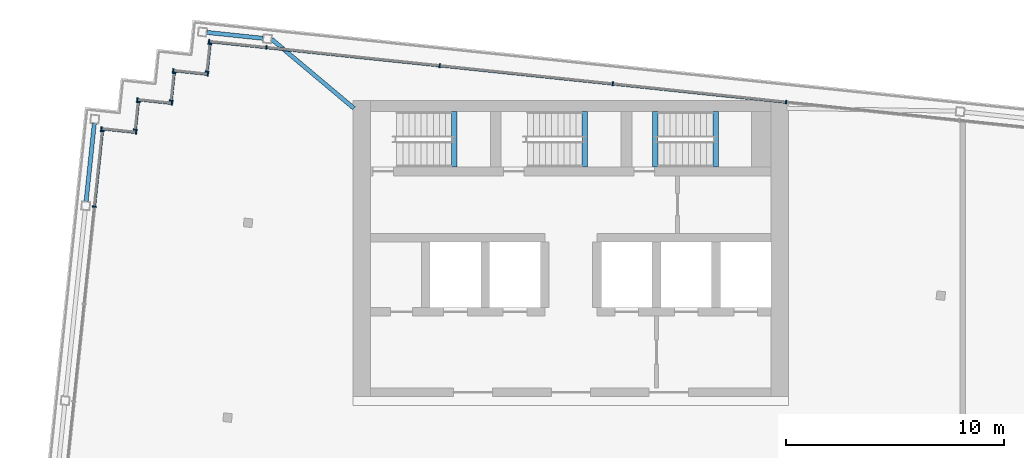
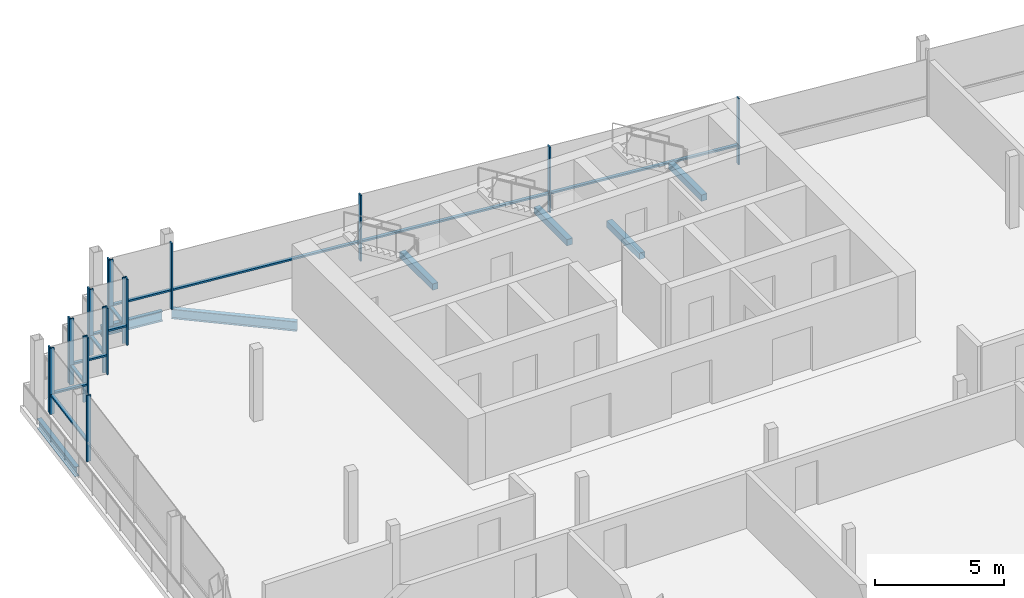
# One storey, part 7 of 15: 30 members, 7 beams, 8 elements without a shape of their own.
"""IFC4 building model written with IfcOpenShell, lengths in metres."""

from ifc_helpers import new_model, si_unit, direction, frame, origin, origin_2d, place, context, subcontext, project, spatial, rectangle, i_section, extrude, material, material_profile, profile_set, type_object, element, aggregate, save


model = new_model("IFC4")

# Units and contexts
model_context = context("Model", 3, precision=1e-05, world=origin(), true_north=direction((0.0, 1.0)))
body_context = subcontext(model_context, "Body", "Model", "MODEL_VIEW")
ifc_project = project(units=[si_unit("LENGTHUNIT", "METRE"), si_unit("AREAUNIT", "SQUARE_METRE"), si_unit("VOLUMEUNIT", "CUBIC_METRE"), si_unit("PLANEANGLEUNIT", "RADIAN"), si_unit("MASSUNIT", "GRAM", prefix="KILO")], contexts=[model_context])

# Site, building, storey
site_placement = place(None, origin())
site = spatial("IfcSite", under=ifc_project, at=site_placement, CompositionType="ELEMENT")
building_placement = place(site_placement, origin())
building = spatial("IfcBuilding", under=site, at=building_placement, Name="Vidyagriha Tower", CompositionType="ELEMENT")
storey_placement = place(building_placement, frame((0.0, 0.0, 294.89990234375)))
storey = spatial("IfcBuildingStorey", under=building, at=storey_placement, Name="L76", CompositionType="ELEMENT", Elevation=294.89990234375)

# Beams
ifc_material_1 = material(Name="Steel ASTM A992 Grade 50", Category="steel")
ifc_material_profile_1 = material_profile(ifc_material_1, i_section(OverallWidth=0.19189453125, OverallDepth=0.46240234375, WebThickness=0.010498046875, FlangeThickness=0.017578125, at=origin_2d()), Name="W18X60")
ifc_profile_set_1 = profile_set([ifc_material_profile_1], Name="Steel ASTM A992 Grade 50")
beam_type_1 = type_object("IfcBeamType", Name="Edge beam W18X60", PredefinedType="SPANDREL", material=ifc_profile_set_1)
beam_1_placement = place(storey_placement, frame((-22.269287109375, 15.372802734375, -0.510986328125), z_axis=(0.104578872801, 0.994516595821, 0.0), x_axis=(-0.994516595821, 0.104578872801, 0.0)))
element("IfcBeam", 1, at=beam_1_placement, inside=storey, type_object=beam_type_1, Name="st-beam-L76-W12", PredefinedType="SPANDREL", context=body_context, shape_type="SweptSolid", body=[
    extrude(i_section(OverallWidth=0.19189453125, OverallDepth=0.46240234375, WebThickness=0.010498046875, FlangeThickness=0.017578125, at=origin_2d()), origin(), (0.0, 0.0, 1.0), 3.599853515625),
])
beam_2_placement = place(storey_placement, frame((-16.727294921875, 23.135986328125, -0.510986328125), z_axis=(0.994523446942, -0.104513699976, 0.0), x_axis=(0.104513699976, 0.994523446942, 0.0)))
element("IfcBeam", 2, at=beam_2_placement, inside=storey, type_object=beam_type_1, Name="st-beam-L76-NW18", PredefinedType="SPANDREL", context=body_context, shape_type="SweptSolid", body=[
    extrude(i_section(OverallWidth=0.19189453125, OverallDepth=0.46240234375, WebThickness=0.010498046875, FlangeThickness=0.017578125, at=origin_2d()), origin(), (0.0, 0.0, 1.0), 2.599853515625),
])
beam_3_placement = place(storey_placement, frame((-13.743896484375, 22.822509765625, -0.510986328125), z_axis=(0.76590463898, -0.642954184984, 0.0), x_axis=(0.642954184984, 0.76590463898, 0.0)))
element("IfcBeam", 3, at=beam_3_placement, inside=storey, type_object=beam_type_1, Name="st-beam-L76-NC21", PredefinedType="SPANDREL", context=body_context, shape_type="SweptSolid", body=[
    extrude(i_section(OverallWidth=0.19189453125, OverallDepth=0.46240234375, WebThickness=0.010498046875, FlangeThickness=0.017578125, at=origin_2d()), origin(), (0.0, 0.0, 1.0), 4.934326171875),
])

# Curtain wall, members
ifc_material_2 = material(Name="Aluminium and glass curtain wall", Category="aluminium")
curtain_wall_type = type_object("IfcCurtainWallType", Name="Lantern glazing wall", PredefinedType="USERDEFINED", material=ifc_material_2)
curtain_wall_1_placement = place(storey_placement, origin())
curtain_wall_1 = element("IfcCurtainWall", 4, at=curtain_wall_1_placement, inside=storey, type_object=curtain_wall_type, Name="CW4 lantern glazing", ObjectType="STICK GLAZING", PredefinedType="USERDEFINED")
ifc_material_3 = material(Name="Aluminium black anodised", Category="aluminium")
ifc_material_profile_2 = material_profile(ifc_material_3, rectangle(XDim=0.179931640625, YDim=0.06005859375, at=origin_2d()), Name="Mullion 60x180 black aluminium")
ifc_profile_set_2 = profile_set([ifc_material_profile_2], Name="Aluminium black anodised")
member_type_1 = type_object("IfcMemberType", Name="Mullion 60x180 black aluminium", PredefinedType="MULLION", material=ifc_profile_set_2)
member_1_placement = place(storey_placement, frame((9.884033203125, 19.936767578125, 0.0), z_axis=(0.0, 0.0, 1.0), x_axis=(-0.104528022383, -0.994521941707, 0.0)))
member_1 = element("IfcMember", 5, at=member_1_placement, type_object=member_type_1, Name="CW4 mullion 4", PredefinedType="MULLION", context=body_context, shape_type="SweptSolid", body=[
    extrude(rectangle(XDim=0.179931640625, YDim=0.06005859375, at=origin_2d()), origin(), (0.0, 0.0, 1.0), 3.1201171875),
])
member_2_placement = place(storey_placement, frame((1.927978515625, 20.77294921875, 0.0), z_axis=(0.0, 0.0, 1.0), x_axis=(-0.104528022383, -0.994521941707, 0.0)))
member_2 = element("IfcMember", 6, at=member_2_placement, type_object=member_type_1, Name="CW4 mullion 5", PredefinedType="MULLION", context=body_context, shape_type="SweptSolid", body=[
    extrude(rectangle(XDim=0.179931640625, YDim=0.06005859375, at=origin_2d()), origin(), (0.0, 0.0, 1.0), 3.1201171875),
])
member_3_placement = place(storey_placement, frame((-6.0283203125, 21.609130859375, 0.0), z_axis=(0.0, 0.0, 1.0), x_axis=(-0.104528022383, -0.994521941707, 0.0)))
member_3 = element("IfcMember", 7, at=member_3_placement, type_object=member_type_1, Name="CW4 mullion 6", PredefinedType="MULLION", context=body_context, shape_type="SweptSolid", body=[
    extrude(rectangle(XDim=0.179931640625, YDim=0.06005859375, at=origin_2d()), origin(), (0.0, 0.0, 1.0), 3.1201171875),
])
member_4_placement = place(storey_placement, frame((-13.984619140625, 22.445556640625, 0.0), z_axis=(0.0, 0.0, 1.0), x_axis=(-0.104528022383, -0.994521941707, 0.0)))
member_4 = element("IfcMember", 8, at=member_4_placement, type_object=member_type_1, Name="CW4 mullion 7", PredefinedType="MULLION", context=body_context, shape_type="SweptSolid", body=[
    extrude(rectangle(XDim=0.179931640625, YDim=0.06005859375, at=origin_2d()), origin(), (0.0, 0.0, 1.0), 3.1201171875),
])
member_5_placement = place(storey_placement, frame((-16.6201171875, 22.722412109375, 0.0), z_axis=(0.0, 0.0, 1.0), x_axis=(-0.104528022383, -0.994521941707, 0.0)))
member_5 = element("IfcMember", 9, at=member_5_placement, type_object=member_type_1, Name="CW4 mullion 8", PredefinedType="MULLION", context=body_context, shape_type="SweptSolid", body=[
    extrude(rectangle(XDim=0.179931640625, YDim=0.06005859375, at=origin_2d()), origin(), (0.0, 0.0, 1.0), 3.1201171875),
])

curtain_wall_2_placement = place(storey_placement, origin())
curtain_wall_2 = element("IfcCurtainWall", 10, at=curtain_wall_2_placement, inside=storey, type_object=curtain_wall_type, Name="CW4 lantern glazing", ObjectType="STICK GLAZING", PredefinedType="USERDEFINED")
member_6_placement = place(storey_placement, frame((-16.581787109375, 22.60791015625, 0.0), z_axis=(0.0, 0.0, 1.0), x_axis=(0.994519755162, -0.104548823962, 0.0)))
member_6 = element("IfcMember", 11, at=member_6_placement, type_object=member_type_1, Name="CW4 mullion 1", PredefinedType="MULLION", context=body_context, shape_type="SweptSolid", body=[
    extrude(rectangle(XDim=0.179931640625, YDim=0.06005859375, at=origin_2d()), origin(), (0.0, 0.0, 1.0), 3.1201171875),
])
member_7_placement = place(storey_placement, frame((-16.715576171875, 21.334716796875, 0.0), z_axis=(0.0, 0.0, 1.0), x_axis=(0.994519755162, -0.104548823962, 0.0)))
member_7 = element("IfcMember", 12, at=member_7_placement, type_object=member_type_1, Name="CW4 mullion 2", PredefinedType="MULLION", context=body_context, shape_type="SweptSolid", body=[
    extrude(rectangle(XDim=0.179931640625, YDim=0.06005859375, at=origin_2d()), origin(), (0.0, 0.0, 1.0), 3.1201171875),
])

curtain_wall_3_placement = place(storey_placement, origin())
curtain_wall_3 = element("IfcCurtainWall", 13, at=curtain_wall_3_placement, inside=storey, type_object=curtain_wall_type, Name="CW4 lantern glazing", ObjectType="STICK GLAZING", PredefinedType="USERDEFINED")
member_8_placement = place(storey_placement, frame((-16.67724609375, 21.22021484375, 0.0), z_axis=(0.0, 0.0, 1.0), x_axis=(-0.104518583201, -0.994522933756, 0.0)))
member_8 = element("IfcMember", 14, at=member_8_placement, type_object=member_type_1, Name="CW4 mullion 1", PredefinedType="MULLION", context=body_context, shape_type="SweptSolid", body=[
    extrude(rectangle(XDim=0.179931640625, YDim=0.06005859375, at=origin_2d()), origin(), (0.0, 0.0, 1.0), 3.1201171875),
])
member_9_placement = place(storey_placement, frame((-18.2685546875, 21.387451171875, 0.0), z_axis=(0.0, 0.0, 1.0), x_axis=(-0.104518583201, -0.994522933756, 0.0)))
member_9 = element("IfcMember", 15, at=member_9_placement, type_object=member_type_1, Name="CW4 mullion 2", PredefinedType="MULLION", context=body_context, shape_type="SweptSolid", body=[
    extrude(rectangle(XDim=0.179931640625, YDim=0.06005859375, at=origin_2d()), origin(), (0.0, 0.0, 1.0), 3.1201171875),
])

curtain_wall_4_placement = place(storey_placement, origin())
curtain_wall_4 = element("IfcCurtainWall", 16, at=curtain_wall_4_placement, inside=storey, type_object=curtain_wall_type, Name="CW4 lantern glazing", ObjectType="STICK GLAZING", PredefinedType="USERDEFINED")
member_10_placement = place(storey_placement, frame((-18.230224609375, 21.27294921875, 0.0), z_axis=(0.0, 0.0, 1.0), x_axis=(0.994519755162, -0.104548823962, 0.0)))
member_10 = element("IfcMember", 17, at=member_10_placement, type_object=member_type_1, Name="CW4 mullion 1", PredefinedType="MULLION", context=body_context, shape_type="SweptSolid", body=[
    extrude(rectangle(XDim=0.179931640625, YDim=0.06005859375, at=origin_2d()), origin(), (0.0, 0.0, 1.0), 3.1201171875),
])
member_11_placement = place(storey_placement, frame((-18.3642578125, 19.999755859375, 0.0), z_axis=(0.0, 0.0, 1.0), x_axis=(0.994519755162, -0.104548823962, 0.0)))
member_11 = element("IfcMember", 18, at=member_11_placement, type_object=member_type_1, Name="CW4 mullion 2", PredefinedType="MULLION", context=body_context, shape_type="SweptSolid", body=[
    extrude(rectangle(XDim=0.179931640625, YDim=0.06005859375, at=origin_2d()), origin(), (0.0, 0.0, 1.0), 3.1201171875),
])

curtain_wall_5_placement = place(storey_placement, origin())
curtain_wall_5 = element("IfcCurtainWall", 19, at=curtain_wall_5_placement, inside=storey, type_object=curtain_wall_type, Name="CW4 lantern glazing", ObjectType="STICK GLAZING", PredefinedType="USERDEFINED")
member_12_placement = place(storey_placement, frame((-18.325927734375, 19.88525390625, 0.0), z_axis=(0.0, 0.0, 1.0), x_axis=(-0.104512321721, -0.994523591781, 0.0)))
member_12 = element("IfcMember", 20, at=member_12_placement, type_object=member_type_1, Name="CW4 mullion 1", PredefinedType="MULLION", context=body_context, shape_type="SweptSolid", body=[
    extrude(rectangle(XDim=0.179931640625, YDim=0.06005859375, at=origin_2d()), origin(), (0.0, 0.0, 1.0), 3.1201171875),
])
member_13_placement = place(storey_placement, frame((-19.917236328125, 20.052490234375, 0.0), z_axis=(0.0, 0.0, 1.0), x_axis=(-0.104512321721, -0.994523591781, 0.0)))
member_13 = element("IfcMember", 21, at=member_13_placement, type_object=member_type_1, Name="CW4 mullion 2", PredefinedType="MULLION", context=body_context, shape_type="SweptSolid", body=[
    extrude(rectangle(XDim=0.179931640625, YDim=0.06005859375, at=origin_2d()), origin(), (0.0, 0.0, 1.0), 3.1201171875),
])

curtain_wall_6_placement = place(storey_placement, origin())
curtain_wall_6 = element("IfcCurtainWall", 22, at=curtain_wall_6_placement, inside=storey, type_object=curtain_wall_type, Name="CW4 lantern glazing", ObjectType="STICK GLAZING", PredefinedType="USERDEFINED")
member_14_placement = place(storey_placement, frame((-19.87890625, 19.937744140625, 0.0), z_axis=(0.0, 0.0, 1.0), x_axis=(0.994518123441, -0.10456434453, 0.0)))
member_14 = element("IfcMember", 23, at=member_14_placement, type_object=member_type_1, Name="CW4 mullion 1", PredefinedType="MULLION", context=body_context, shape_type="SweptSolid", body=[
    extrude(rectangle(XDim=0.179931640625, YDim=0.06005859375, at=origin_2d()), origin(), (0.0, 0.0, 1.0), 3.1201171875),
])
member_15_placement = place(storey_placement, frame((-20.0126953125, 18.6650390625, 0.0), z_axis=(0.0, 0.0, 1.0), x_axis=(0.994518123441, -0.10456434453, 0.0)))
member_15 = element("IfcMember", 24, at=member_15_placement, type_object=member_type_1, Name="CW4 mullion 2", PredefinedType="MULLION", context=body_context, shape_type="SweptSolid", body=[
    extrude(rectangle(XDim=0.179931640625, YDim=0.06005859375, at=origin_2d()), origin(), (0.0, 0.0, 1.0), 3.1201171875),
])

curtain_wall_7_placement = place(storey_placement, origin())
curtain_wall_7 = element("IfcCurtainWall", 25, at=curtain_wall_7_placement, inside=storey, type_object=curtain_wall_type, Name="CW4 lantern glazing", ObjectType="STICK GLAZING", PredefinedType="USERDEFINED")
member_16_placement = place(storey_placement, frame((-19.974365234375, 18.550537109375, 0.0), z_axis=(0.0, 0.0, 1.0), x_axis=(-0.104452741485, -0.994529851134, 0.0)))
member_16 = element("IfcMember", 26, at=member_16_placement, type_object=member_type_1, Name="CW4 mullion 1", PredefinedType="MULLION", context=body_context, shape_type="SweptSolid", body=[
    extrude(rectangle(XDim=0.179931640625, YDim=0.06005859375, at=origin_2d()), origin(), (0.0, 0.0, 1.0), 3.1201171875),
])
member_17_placement = place(storey_placement, frame((-21.565673828125, 18.717529296875, 0.0), z_axis=(0.0, 0.0, 1.0), x_axis=(-0.104452741485, -0.994529851134, 0.0)))
member_17 = element("IfcMember", 27, at=member_17_placement, type_object=member_type_1, Name="CW4 mullion 2", PredefinedType="MULLION", context=body_context, shape_type="SweptSolid", body=[
    extrude(rectangle(XDim=0.179931640625, YDim=0.06005859375, at=origin_2d()), origin(), (0.0, 0.0, 1.0), 3.1201171875),
])

curtain_wall_8_placement = place(storey_placement, origin())
curtain_wall_8 = element("IfcCurtainWall", 28, at=curtain_wall_8_placement, inside=storey, type_object=curtain_wall_type, Name="CW4 lantern glazing", ObjectType="STICK GLAZING", PredefinedType="USERDEFINED")
member_18_placement = place(storey_placement, frame((-21.527587890625, 18.602783203125, 0.0), z_axis=(0.0, 0.0, 1.0), x_axis=(0.994522018715, -0.104527289697, 0.0)))
member_18 = element("IfcMember", 29, at=member_18_placement, type_object=member_type_1, Name="CW4 mullion 1", PredefinedType="MULLION", context=body_context, shape_type="SweptSolid", body=[
    extrude(rectangle(XDim=0.179931640625, YDim=0.06005859375, at=origin_2d()), origin(), (0.0, 0.0, 1.0), 3.1201171875),
])
member_19_placement = place(storey_placement, frame((-21.892333984375, 15.132080078125, 0.0), z_axis=(0.0, 0.0, 1.0), x_axis=(0.994522018715, -0.104527289697, 0.0)))
member_19 = element("IfcMember", 30, at=member_19_placement, type_object=member_type_1, Name="CW4 mullion 2", PredefinedType="MULLION", context=body_context, shape_type="SweptSolid", body=[
    extrude(rectangle(XDim=0.179931640625, YDim=0.06005859375, at=origin_2d()), origin(), (0.0, 0.0, 1.0), 3.1201171875),
])

# Beams
ifc_material_4 = material(Name="Concrete C40/50", Category="concrete")
ifc_material_profile_3 = material_profile(ifc_material_4, rectangle(XDim=0.25, YDim=0.300048828125, at=origin_2d()), Name="Stair landing bearing beam 250x300")
ifc_profile_set_3 = profile_set([ifc_material_profile_3], Name="Concrete C40/50")
beam_type_2 = type_object("IfcBeamType", Name="Stair landing bearing beam 250x300", PredefinedType="BEAM", material=ifc_profile_set_3)
for number, where, z_axis, x_axis, name in (
    (31, (3.875, 16.949951171875, -0.429931640625), (0.0, 1.0, 0.0), (-1.0, 0.0, 0.0), "ST3 floor landing bearing beam L76"),
    (32, (-5.35498046875, 16.949951171875, 1.35009765625), (0.0, 1.0, 0.0), (-1.0, 0.0, 0.0), "ST1 landing bearing beam L76"),
    (33, (0.64501953125, 16.949951171875, 1.35009765625), (0.0, 1.0, 0.0), (-1.0, 0.0, 0.0), "ST2 landing bearing beam L76"),
    (34, (6.64501953125, 16.949951171875, 1.35009765625), (0.0, 1.0, 0.0), (-1.0, 0.0, 0.0), "ST3 landing bearing beam L76"),
):
    element("IfcBeam", number, at=place(storey_placement, frame(where, z_axis=z_axis, x_axis=x_axis)), inside=storey, type_object=beam_type_2, Name=name, PredefinedType="BEAM", context=body_context, shape_type="SweptSolid", body=[
        extrude(rectangle(XDim=0.25, YDim=0.300048828125, at=origin_2d()), origin(), (0.0, 0.0, 1.0), 2.550048828125),
    ])

# Member
ifc_material_5 = material(Name="Aluminium black anodised", Category="aluminium")
ifc_material_profile_4 = material_profile(ifc_material_5, rectangle(XDim=0.139892578125, YDim=0.080078125, at=origin_2d()), Name="Transom 80x140 black aluminium")
ifc_profile_set_4 = profile_set([ifc_material_profile_4], Name="Aluminium black anodised")
member_type_2 = type_object("IfcMemberType", Name="Transom 80x140 black aluminium", PredefinedType="USERDEFINED", material=ifc_profile_set_4)
member_20_placement = place(storey_placement, frame((9.854248046875, 19.93994140625, 0.900146484375), z_axis=(-0.994523465953, 0.104513519069, 0.0), x_axis=(-0.104513519069, -0.994523465953, 0.0)))
member_20 = element("IfcMember", 35, at=member_20_placement, type_object=member_type_2, Name="CW4 transom 4.1", ObjectType="TRANSOM", PredefinedType="USERDEFINED", context=body_context, shape_type="SweptSolid", body=[
    extrude(rectangle(XDim=0.139892578125, YDim=0.080078125, at=origin_2d()), origin(), (0.0, 0.0, 1.0), 7.93994140625),
])

member_21_placement = place(storey_placement, frame((1.89794921875, 20.776123046875, 0.900146484375), z_axis=(-0.994520269484, 0.10454393137, 0.0), x_axis=(-0.10454393137, -0.994520269484, 0.0)))
member_21 = element("IfcMember", 36, at=member_21_placement, type_object=member_type_2, Name="CW4 transom 5.1", ObjectType="TRANSOM", PredefinedType="USERDEFINED", context=body_context, shape_type="SweptSolid", body=[
    extrude(rectangle(XDim=0.139892578125, YDim=0.080078125, at=origin_2d()), origin(), (0.0, 0.0, 1.0), 7.93994140625),
])

member_22_placement = place(storey_placement, frame((-6.05810546875, 21.6123046875, 0.900146484375), z_axis=(-0.994520269484, 0.10454393137, 0.0), x_axis=(-0.10454393137, -0.994520269484, 0.0)))
member_22 = element("IfcMember", 37, at=member_22_placement, type_object=member_type_2, Name="CW4 transom 6.1", ObjectType="TRANSOM", PredefinedType="USERDEFINED", context=body_context, shape_type="SweptSolid", body=[
    extrude(rectangle(XDim=0.139892578125, YDim=0.080078125, at=origin_2d()), origin(), (0.0, 0.0, 1.0), 7.93994140625),
])

member_23_placement = place(storey_placement, frame((-14.014404296875, 22.448486328125, 0.900146484375), z_axis=(-0.994521452323, 0.104532678478, 0.0), x_axis=(-0.104532678478, -0.994521452323, 0.0)))
member_23 = element("IfcMember", 38, at=member_23_placement, type_object=member_type_2, Name="CW4 transom 7.1", ObjectType="TRANSOM", PredefinedType="USERDEFINED", context=body_context, shape_type="SweptSolid", body=[
    extrude(rectangle(XDim=0.139892578125, YDim=0.080078125, at=origin_2d()), origin(), (0.0, 0.0, 1.0), 2.590087890625),
])

aggregate(curtain_wall_1, [member_1, member_2, member_3, member_4, member_5, member_20, member_21, member_22, member_23])

member_24_placement = place(storey_placement, frame((-16.5849609375, 22.578125, 0.900146484375), z_axis=(-0.104653535604, -0.994508741784, 0.0), x_axis=(0.994508741784, -0.104653535604, 0.0)))
member_24 = element("IfcMember", 39, at=member_24_placement, type_object=member_type_2, Name="CW4 transom 1.1", ObjectType="TRANSOM", PredefinedType="USERDEFINED", context=body_context, shape_type="SweptSolid", body=[
    extrude(rectangle(XDim=0.139892578125, YDim=0.080078125, at=origin_2d()), origin(), (0.0, 0.0, 1.0), 1.219970703125),
])

aggregate(curtain_wall_2, [member_6, member_7, member_24])

member_25_placement = place(storey_placement, frame((-16.707275390625, 21.223388671875, 0.900146484375), z_axis=(-0.994527149453, 0.104478461899, 0.0), x_axis=(-0.104478461899, -0.994527149453, 0.0)))
member_25 = element("IfcMember", 40, at=member_25_placement, type_object=member_type_2, Name="CW4 transom 1.1", ObjectType="TRANSOM", PredefinedType="USERDEFINED", context=body_context, shape_type="SweptSolid", body=[
    extrude(rectangle(XDim=0.139892578125, YDim=0.080078125, at=origin_2d()), origin(), (0.0, 0.0, 1.0), 1.5400390625),
])

aggregate(curtain_wall_3, [member_8, member_9, member_25])

member_26_placement = place(storey_placement, frame((-18.2333984375, 21.242919921875, 0.900146484375), z_axis=(-0.104674366152, -0.994506549536, 0.0), x_axis=(0.994506549536, -0.104674366152, 0.0)))
member_26 = element("IfcMember", 41, at=member_26_placement, type_object=member_type_2, Name="CW4 transom 1.1", ObjectType="TRANSOM", PredefinedType="USERDEFINED", context=body_context, shape_type="SweptSolid", body=[
    extrude(rectangle(XDim=0.139892578125, YDim=0.080078125, at=origin_2d()), origin(), (0.0, 0.0, 1.0), 1.2197265625),
])

aggregate(curtain_wall_4, [member_10, member_11, member_26])

member_27_placement = place(storey_placement, frame((-18.355712890625, 19.888427734375, 0.900146484375), z_axis=(-0.994527149453, 0.104478461899, 0.0), x_axis=(-0.104478461899, -0.994527149453, 0.0)))
member_27 = element("IfcMember", 42, at=member_27_placement, type_object=member_type_2, Name="CW4 transom 1.1", ObjectType="TRANSOM", PredefinedType="USERDEFINED", context=body_context, shape_type="SweptSolid", body=[
    extrude(rectangle(XDim=0.139892578125, YDim=0.080078125, at=origin_2d()), origin(), (0.0, 0.0, 1.0), 1.5400390625),
])

aggregate(curtain_wall_5, [member_12, member_13, member_27])

member_28_placement = place(storey_placement, frame((-19.882080078125, 19.907958984375, 0.900146484375), z_axis=(-0.104476410646, -0.994527364942, 0.0), x_axis=(0.994527364942, -0.104476410646, 0.0)))
member_28 = element("IfcMember", 43, at=member_28_placement, type_object=member_type_2, Name="CW4 transom 1.1", ObjectType="TRANSOM", PredefinedType="USERDEFINED", context=body_context, shape_type="SweptSolid", body=[
    extrude(rectangle(XDim=0.139892578125, YDim=0.080078125, at=origin_2d()), origin(), (0.0, 0.0, 1.0), 1.2197265625),
])

aggregate(curtain_wall_6, [member_14, member_15, member_28])

member_29_placement = place(storey_placement, frame((-20.004150390625, 18.553466796875, 0.900146484375), z_axis=(-0.994528879637, 0.104461991023, 0.0), x_axis=(-0.104461991023, -0.994528879637, 0.0)))
member_29 = element("IfcMember", 44, at=member_29_placement, type_object=member_type_2, Name="CW4 transom 1.1", ObjectType="TRANSOM", PredefinedType="USERDEFINED", context=body_context, shape_type="SweptSolid", body=[
    extrude(rectangle(XDim=0.139892578125, YDim=0.080078125, at=origin_2d()), origin(), (0.0, 0.0, 1.0), 1.540283203125),
])

aggregate(curtain_wall_7, [member_16, member_17, member_29])

member_30_placement = place(storey_placement, frame((-21.53076171875, 18.572998046875, 0.900146484375), z_axis=(-0.10449210926, -0.994525715657, 0.0), x_axis=(0.994525715657, -0.10449210926, 0.0)))
member_30 = element("IfcMember", 45, at=member_30_placement, type_object=member_type_2, Name="CW4 transom 1.1", ObjectType="TRANSOM", PredefinedType="USERDEFINED", context=body_context, shape_type="SweptSolid", body=[
    extrude(rectangle(XDim=0.139892578125, YDim=0.080078125, at=origin_2d()), origin(), (0.0, 0.0, 1.0), 3.429931640625),
])

aggregate(curtain_wall_8, [member_18, member_19, member_30])

save(model, "model.ifc")
